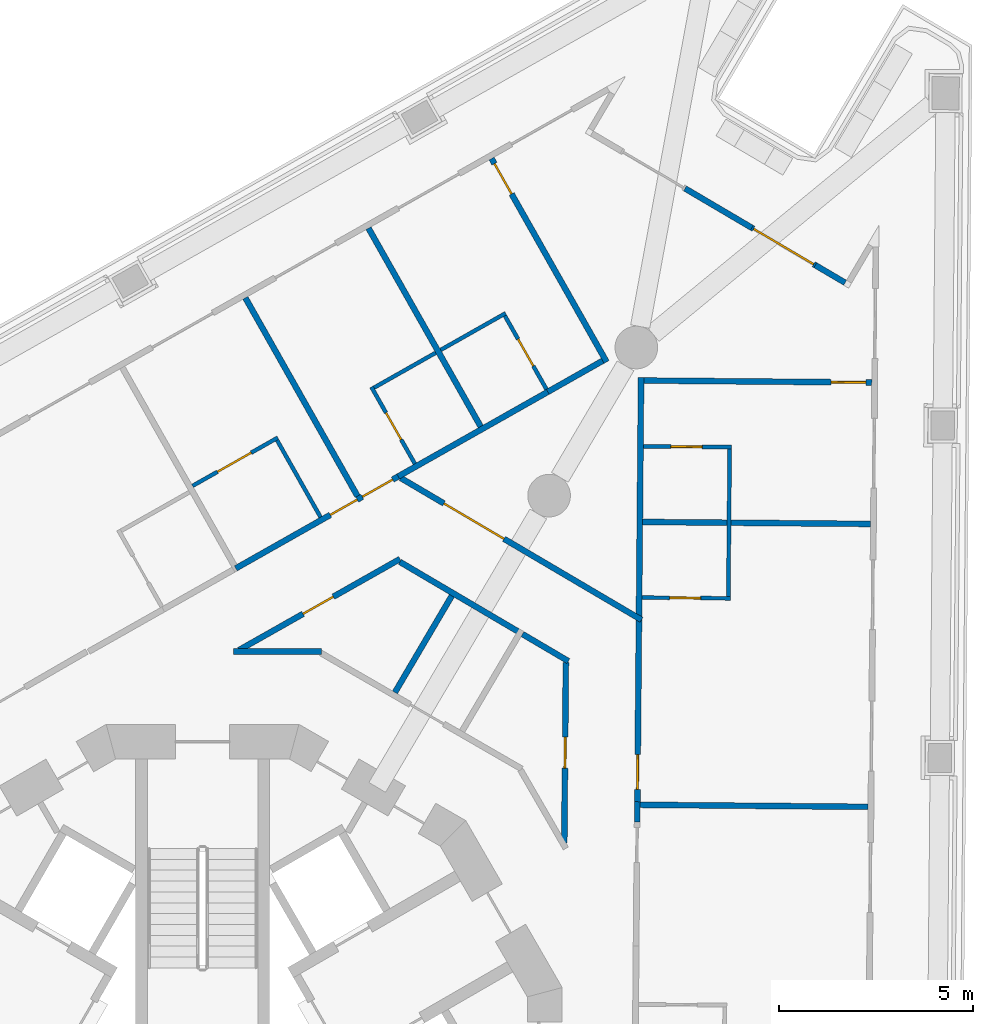
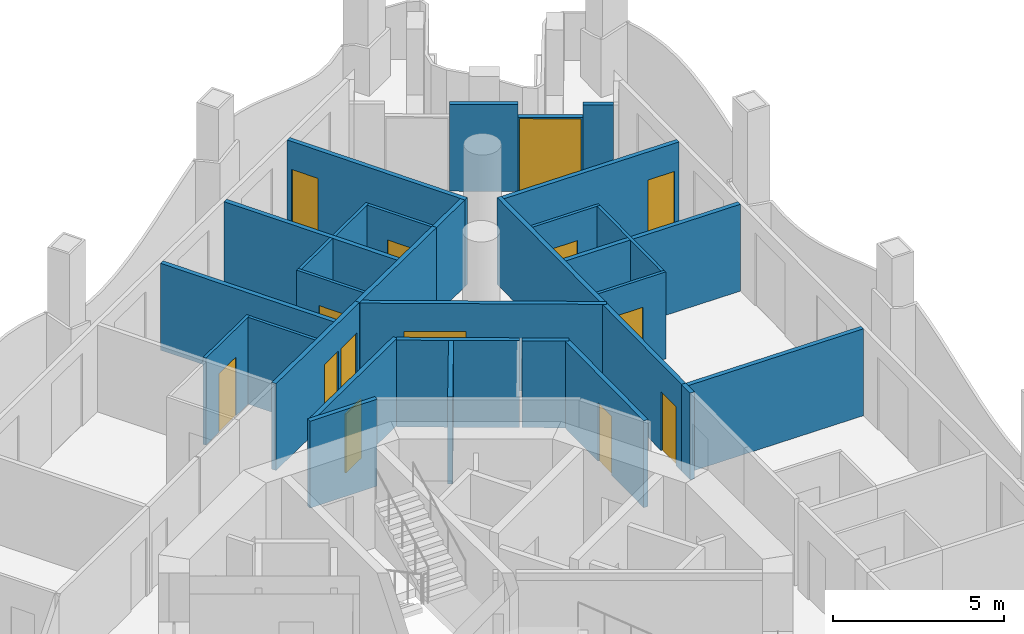
# One storey, part 9 of 17: 30 walls, 14 doors, 14 openings.
"""IFC4 building model written with IfcOpenShell, lengths in metres."""

from ifc_helpers import new_model, si_unit, direction, frame, frame_2d, origin, place, context, subcontext, project, spatial, polyline, rectangle, outline, extrude, material, layer, layer_set, type_object, element, fill, save


model = new_model("IFC4")

# Units and contexts
model_context = context("Model", 3, precision=1e-05, world=origin(), true_north=direction((0.0, 1.0)))
body_context = subcontext(model_context, "Body", "Model", "MODEL_VIEW")
ifc_project = project(units=[si_unit("LENGTHUNIT", "METRE"), si_unit("AREAUNIT", "SQUARE_METRE"), si_unit("VOLUMEUNIT", "CUBIC_METRE"), si_unit("PLANEANGLEUNIT", "RADIAN"), si_unit("MASSUNIT", "GRAM", prefix="KILO")], contexts=[model_context])

# Site, building, storey
site_placement = place(None, origin())
site = spatial("IfcSite", under=ifc_project, at=site_placement, CompositionType="ELEMENT")
building_placement = place(site_placement, origin())
building = spatial("IfcBuilding", under=site, at=building_placement, Name="Trine Commons Tower", CompositionType="ELEMENT")
storey_placement = place(building_placement, frame((0.0, 0.0, 189.89990234375)))
storey = spatial("IfcBuildingStorey", under=building, at=storey_placement, Name="L49", CompositionType="ELEMENT", Elevation=189.89990234375)

# Wall
ifc_material_1 = material(Name="Aluminium-framed insulated wall panel", Category="aluminium")
ifc_layer_1 = layer(ifc_material_1, 0.14990234375)
ifc_layer_set_1 = layer_set([ifc_layer_1], Name="Aluminium-framed insulated wall panel")
wall_type_1 = type_object("IfcWallType", Name="Glazed frame wall 150, EI 60", PredefinedType="SOLIDWALL", material=ifc_layer_set_1)
wall_1_placement = place(storey_placement, frame((92.44091796875, 85.5908203125, 0.0), z_axis=(0.0, 0.0, 1.0), x_axis=(0.861632831324, -0.507532130988, 0.0)))
element("IfcWall", 1, at=wall_1_placement, inside=storey, type_object=wall_type_1, Name="Glazed frame wall P2.3", PredefinedType="SOLIDWALL", context=body_context, shape_type="SweptSolid", body=[
    extrude(outline(polyline([(0.0, -0.074951171875), (2.0, -0.074951171875), (2.0, 0.074951171875), (0.0, 0.074951171875), (0.0, -0.074951171875)])), origin(), (0.0, 0.0, 1.0), 3.10009765625),
])

# Wall, opening, door
wall_2_placement = place(storey_placement, frame((94.164306640625, 84.57568359375, 0.0), z_axis=(0.0, 0.0, 1.0), x_axis=(0.86165989029, -0.507486190418, 0.0)))
wall_2 = element("IfcWall", 2, at=wall_2_placement, inside=storey, type_object=wall_type_1, Name="Glazed frame wall P2.4", PredefinedType="SOLIDWALL", context=body_context, shape_type="SweptSolid", body=[
    extrude(outline(polyline([(0.0, -0.074951171875), (1.89990234375, -0.074951171875), (1.89990234375, 0.074951171875), (0.0, 0.074951171875), (0.0, -0.074951171875)])), origin(), (0.0, 0.0, 1.0), 2.650146484375),
])
opening_1_placement = place(wall_2_placement, frame((0.050048828125, 0.0, 0.0)))
opening_1 = element("IfcOpeningElement", 3, at=opening_1_placement, cuts=wall_2, Name="Opening BD-5P2-02", PredefinedType="OPENING", context=body_context, shape_type="SweptSolid", body=[
    extrude(rectangle(XDim=1.800048828125, YDim=2.60009765625, at=frame_2d((0.89990234375, 1.300048828125))), frame((0.0, 0.0849609375, 0.0), z_axis=(0.0, -1.0, 0.0), x_axis=(1.0, 0.0, 0.0)), (0.0, 0.0, 1.0), 0.169921875),
])
ifc_material_2 = material(Name="Anodised aluminium frame with double glazing", Category="aluminium")
door_type_1 = type_object("IfcDoorType", Name="Sliding loggia door 1800x2600", OperationType="SLIDING_TO_LEFT", PredefinedType="DOOR", material=ifc_material_2)
door_1_placement = place(opening_1_placement, origin())
door_1 = element("IfcDoor", 4, at=door_1_placement, inside=storey, type_object=door_type_1, Name="Loggia door P2 2", OperationType="SLIDING_TO_LEFT", OverallHeight=2.60009765625, OverallWidth=1.800048828125, PredefinedType="DOOR", context=body_context, shape_type="SweptSolid", body=[
    extrude(rectangle(XDim=1.800048828125, YDim=2.60009765625, at=frame_2d((0.89990234375, 1.300048828125))), frame((0.0, 0.02490234375, 0.0), z_axis=(0.0, -1.0, 0.0), x_axis=(1.0, 0.0, 0.0)), (0.0, 0.0, 1.0), 0.050048828125),
])
fill(opening_1, door_1)

# Wall
wall_3_placement = place(storey_placement, frame((95.80126953125, 83.611572265625, 0.0), z_axis=(0.0, 0.0, 1.0), x_axis=(0.861664268073, -0.507478757315, 0.0)))
element("IfcWall", 5, at=wall_3_placement, inside=storey, type_object=wall_type_1, Name="Glazed frame wall P2.5", PredefinedType="SOLIDWALL", context=body_context, shape_type="SweptSolid", body=[
    extrude(outline(polyline([(0.889892578125, 0.074951171875), (0.0, 0.074951171875), (0.0, -0.074951171875), (0.889892578125, -0.074951171875), (0.889892578125, 0.074951171875)])), origin(), (0.0, 0.0, 1.0), 3.10009765625),
])

# Wall, openings, doors
ifc_material_3 = material(Name="Gypsum plasterboard on steel stud", Category="steel")
ifc_layer_2 = layer(ifc_material_3, 0.14990234375)
ifc_layer_set_2 = layer_set([ifc_layer_2], Name="Gypsum plasterboard on steel stud")
wall_type_2 = type_object("IfcWallType", Name="Unit and corridor wall 150 mm, EI 60", PredefinedType="PARTITIONING", material=ifc_layer_set_2)
wall_4_placement = place(storey_placement, frame((80.85595703125, 75.79296875, 0.0), z_axis=(0.0, 0.0, 1.0), x_axis=(0.870296246949, 0.492528621043, 0.0)))
wall_4 = element("IfcWall", 6, at=wall_4_placement, inside=storey, type_object=wall_type_2, Name="Partition 060", PredefinedType="PARTITIONING", context=body_context, shape_type="SweptSolid", body=[
    extrude(rectangle(XDim=4.812255859375, YDim=0.14990234375, at=frame_2d((2.40625, 0.0))), origin(), (0.0, 0.0, 1.0), 3.10009765625),
])
opening_2_placement = place(wall_4_placement, frame((2.800537109375, 0.0, 0.0)))
opening_2 = element("IfcOpeningElement", 7, at=opening_2_placement, cuts=wall_4, Name="Opening D-5C11", PredefinedType="OPENING", context=body_context, shape_type="SweptSolid", body=[
    extrude(rectangle(XDim=0.800048828125, YDim=2.10009765625, at=frame_2d((0.39990234375, 1.050048828125))), frame((0.0, 0.0849609375, 0.0), z_axis=(0.0, -1.0, 0.0), x_axis=(1.0, 0.0, 0.0)), (0.0, 0.0, 1.0), 0.169921875),
])
opening_3_placement = place(wall_4_placement, frame((3.75048828125, 0.0, 0.0)))
opening_3 = element("IfcOpeningElement", 8, at=opening_3_placement, cuts=wall_4, Name="Opening D-5C12", PredefinedType="OPENING", context=body_context, shape_type="SweptSolid", body=[
    extrude(rectangle(XDim=0.89990234375, YDim=2.10009765625, at=frame_2d((0.449951171875, 1.050048828125))), frame((0.0, 0.0849609375, 0.0), z_axis=(0.0, -1.0, 0.0), x_axis=(1.0, 0.0, 0.0)), (0.0, 0.0, 1.0), 0.169921875),
])
ifc_material_4 = material(Name="Timber fire door set", Category="wood")
door_type_2 = type_object("IfcDoorType", Name="Bedroom door 800 x 2100, FD30S", OperationType="NOTDEFINED", PredefinedType="DOOR", material=ifc_material_4)
door_2_placement = place(opening_2_placement, origin())
door_2 = element("IfcDoor", 9, at=door_2_placement, inside=storey, type_object=door_type_2, Name="Door D-5C11", OperationType="SINGLE_SWING_RIGHT", OverallHeight=2.10009765625, OverallWidth=0.800048828125, PredefinedType="DOOR", context=body_context, shape_type="SweptSolid", body=[
    extrude(rectangle(XDim=0.800048828125, YDim=2.10009765625, at=frame_2d((0.39990234375, 1.050048828125))), frame((0.0, 0.02490234375, 0.0), z_axis=(0.0, -1.0, 0.0), x_axis=(1.0, 0.0, 0.0)), (0.0, 0.0, 1.0), 0.050048828125),
])
fill(opening_2, door_2)
door_type_3 = type_object("IfcDoorType", Name="Bedroom door 900 x 2100, FD30S", OperationType="NOTDEFINED", PredefinedType="DOOR", material=ifc_material_4)
door_3_placement = place(opening_3_placement, origin())
door_3 = element("IfcDoor", 10, at=door_3_placement, inside=storey, type_object=door_type_3, Name="Door D-5C12", OperationType="SINGLE_SWING_RIGHT", OverallHeight=2.10009765625, OverallWidth=0.89990234375, PredefinedType="DOOR", context=body_context, shape_type="SweptSolid", body=[
    extrude(rectangle(XDim=0.89990234375, YDim=2.10009765625, at=frame_2d((0.449951171875, 1.050048828125))), frame((0.0, 0.02490234375, 0.0), z_axis=(0.0, -1.0, 0.0), x_axis=(1.0, 0.0, 0.0)), (0.0, 0.0, 1.0), 0.050048828125),
])
fill(opening_3, door_3)

# Wall
wall_5_placement = place(storey_placement, frame((80.79296875, 73.64794921875, 0.0), z_axis=(0.0, 0.0, 1.0), x_axis=(1.0, 0.0, 0.0)))
element("IfcWall", 11, at=wall_5_placement, inside=storey, type_object=wall_type_2, Name="Partition 061", PredefinedType="PARTITIONING", context=body_context, shape_type="SweptSolid", body=[
    extrude(rectangle(XDim=2.26904296875, YDim=0.14990234375, at=frame_2d((1.134521484375, 0.0))), origin(), (0.0, 0.0, 1.0), 3.10009765625),
])

# Wall, opening, door
wall_6_placement = place(storey_placement, frame((80.937255859375, 73.684814453125, 0.0), z_axis=(0.0, 0.0, 1.0), x_axis=(0.870319748897, 0.492487090876, 0.0)))
wall_6 = element("IfcWall", 12, at=wall_6_placement, inside=storey, type_object=wall_type_2, Name="Partition 062", PredefinedType="PARTITIONING", context=body_context, shape_type="SweptSolid", body=[
    extrude(rectangle(XDim=4.77197265625, YDim=0.14990234375, at=frame_2d((2.385986328125, 0.0))), origin(), (0.0, 0.0, 1.0), 3.10009765625),
])
opening_4_placement = place(wall_6_placement, frame((1.8984375, 0.0, 0.0)))
opening_4 = element("IfcOpeningElement", 13, at=opening_4_placement, cuts=wall_6, Name="Opening D-5C30", PredefinedType="OPENING", context=body_context, shape_type="SweptSolid", body=[
    extrude(rectangle(XDim=0.89990234375, YDim=2.10009765625, at=frame_2d((0.449951171875, 1.050048828125))), frame((0.0, 0.0849609375, 0.0), z_axis=(0.0, -1.0, 0.0), x_axis=(1.0, 0.0, 0.0)), (0.0, 0.0, 1.0), 0.169921875),
])
door_type_4 = type_object("IfcDoorType", Name="Service door 900 x 2100, FD30S", OperationType="NOTDEFINED", PredefinedType="DOOR", material=ifc_material_4)
door_4_placement = place(opening_4_placement, frame((0.89990234375, 0.0, 0.0), z_axis=(0.0, 0.0, 1.0), x_axis=(-1.0, 0.0, 0.0)))
door_4 = element("IfcDoor", 14, at=door_4_placement, inside=storey, type_object=door_type_4, Name="Door D-5C30", OperationType="SINGLE_SWING_RIGHT", OverallHeight=2.10009765625, OverallWidth=0.89990234375, PredefinedType="DOOR", context=body_context, shape_type="SweptSolid", body=[
    extrude(rectangle(XDim=0.89990234375, YDim=2.10009765625, at=frame_2d((0.449951171875, 1.050048828125))), frame((0.0, 0.02490234375, 0.0), z_axis=(0.0, -1.0, 0.0), x_axis=(1.0, 0.0, 0.0)), (0.0, 0.0, 1.0), 0.050048828125),
])
fill(opening_4, door_4)

# Walls
wall_7_placement = place(storey_placement, frame((81.103759765625, 82.769287109375, 0.0), z_axis=(0.0, 0.0, 1.0), x_axis=(0.492361245758, -0.870390948756, 0.0)))
element("IfcWall", 15, at=wall_7_placement, inside=storey, type_object=wall_type_2, Name="Partition 063", PredefinedType="PARTITIONING", context=body_context, shape_type="SweptSolid", body=[
    extrude(rectangle(XDim=5.87451171875, YDim=0.14990234375, at=frame_2d((2.937255859375, 0.0))), origin(), (0.0, 0.0, 1.0), 3.10009765625),
])
wall_8_placement = place(storey_placement, frame((84.27880859375, 84.565185546875, 0.0), z_axis=(0.0, 0.0, 1.0), x_axis=(0.4923790567, -0.870380873252, 0.0)))
element("IfcWall", 16, at=wall_8_placement, inside=storey, type_object=wall_type_2, Name="Partition 074", PredefinedType="PARTITIONING", context=body_context, shape_type="SweptSolid", body=[
    extrude(rectangle(XDim=5.874267578125, YDim=0.14990234375, at=frame_2d((2.93701171875, 0.0))), origin(), (0.0, 0.0, 1.0), 3.10009765625),
])
wall_9_placement = place(storey_placement, frame((84.960205078125, 72.595703125, 0.0), z_axis=(0.0, 0.0, 1.0), x_axis=(0.507595999699, 0.861595207212, 0.0)))
element("IfcWall", 17, at=wall_9_placement, inside=storey, type_object=wall_type_2, Name="Partition 080", PredefinedType="PARTITIONING", context=body_context, shape_type="SweptSolid", body=[
    extrude(rectangle(XDim=2.8896484375, YDim=0.14990234375, at=frame_2d((1.44482421875, 0.0))), origin(), (0.0, 0.0, 1.0), 3.10009765625),
])
wall_10_placement = place(storey_placement, frame((85.089599609375, 75.9599609375, 0.0), z_axis=(0.0, 0.0, 1.0), x_axis=(0.861618447689, -0.507556549166, 0.0)))
element("IfcWall", 18, at=wall_10_placement, inside=storey, type_object=wall_type_2, Name="Partition 081", PredefinedType="PARTITIONING", context=body_context, shape_type="SweptSolid", body=[
    extrude(rectangle(XDim=3.599365234375, YDim=0.14990234375, at=frame_2d((1.7998046875, 0.0))), origin(), (0.0, 0.0, 1.0), 3.10009765625),
])
wall_11_placement = place(storey_placement, frame((85.0439453125, 78.1630859375, 0.0), z_axis=(0.0, 0.0, 1.0), x_axis=(0.870383507411, 0.492374400256, 0.0)))
element("IfcWall", 19, at=wall_11_placement, inside=storey, type_object=wall_type_2, Name="Partition 082", PredefinedType="PARTITIONING", context=body_context, shape_type="SweptSolid", body=[
    extrude(rectangle(XDim=4.4892578125, YDim=0.14990234375, at=frame_2d((2.24462890625, 0.0))), origin(), (0.0, 0.0, 1.0), 3.10009765625),
])

# Wall, opening, door
wall_12_placement = place(storey_placement, frame((85.108642578125, 78.125, 0.0), z_axis=(0.0, 0.0, 1.0), x_axis=(0.861578679129, -0.507624053479, 0.0)))
wall_12 = element("IfcWall", 20, at=wall_12_placement, inside=storey, type_object=wall_type_2, Name="Partition 083", PredefinedType="PARTITIONING", context=body_context, shape_type="SweptSolid", body=[
    extrude(rectangle(XDim=7.20654296875, YDim=0.14990234375, at=frame_2d((3.603271484375, 0.0))), origin(), (0.0, 0.0, 1.0), 3.10009765625),
])
opening_5_placement = place(wall_12_placement, frame((1.29296875, 0.0, 0.0)))
opening_5 = element("IfcOpeningElement", 21, at=opening_5_placement, cuts=wall_12, Name="Opening D-5C01", PredefinedType="OPENING", context=body_context, shape_type="SweptSolid", body=[
    extrude(rectangle(XDim=1.800048828125, YDim=2.10009765625, at=frame_2d((0.89990234375, 1.050048828125))), frame((0.0, 0.0849609375, 0.0), z_axis=(0.0, -1.0, 0.0), x_axis=(1.0, 0.0, 0.0)), (0.0, 0.0, 1.0), 0.169921875),
])
door_type_5 = type_object("IfcDoorType", Name="Cluster entrance door 1800 x 2100, double leaf, FD30S", OperationType="DOUBLE_DOOR_DOUBLE_SWING", PredefinedType="DOOR", material=ifc_material_4)
door_5_placement = place(opening_5_placement, origin())
door_5 = element("IfcDoor", 22, at=door_5_placement, inside=storey, type_object=door_type_5, Name="Door D-5C01", OperationType="DOUBLE_DOOR_DOUBLE_SWING", OverallHeight=2.10009765625, OverallWidth=1.800048828125, PredefinedType="DOOR", context=body_context, shape_type="SweptSolid", body=[
    extrude(rectangle(XDim=1.800048828125, YDim=2.10009765625, at=frame_2d((0.89990234375, 1.050048828125))), frame((0.0, 0.02490234375, 0.0), z_axis=(0.0, -1.0, 0.0), x_axis=(1.0, 0.0, 0.0)), (0.0, 0.0, 1.0), 0.050048828125),
])
fill(opening_5, door_5)

wall_13_placement = place(storey_placement, frame((87.45263671875, 86.361083984375, 0.0), z_axis=(0.0, 0.0, 1.0), x_axis=(0.492389730591, -0.870374834889, 0.0)))
wall_13 = element("IfcWall", 23, at=wall_13_placement, inside=storey, type_object=wall_type_2, Name="Partition 091", PredefinedType="PARTITIONING", context=body_context, shape_type="SweptSolid", body=[
    extrude(rectangle(XDim=6.0244140625, YDim=0.14990234375, at=frame_2d((3.01220703125, 0.0))), origin(), (0.0, 0.0, 1.0), 3.10009765625),
])
opening_6_placement = place(wall_13_placement, frame((0.14990234375, 0.0, 0.0)))
opening_6 = element("IfcOpeningElement", 24, at=opening_6_placement, cuts=wall_13, Name="Opening D-5C13", PredefinedType="OPENING", context=body_context, shape_type="SweptSolid", body=[
    extrude(rectangle(XDim=0.89990234375, YDim=2.10009765625, at=frame_2d((0.449951171875, 1.050048828125))), frame((0.0, 0.0849609375, 0.0), z_axis=(0.0, -1.0, 0.0), x_axis=(1.0, 0.0, 0.0)), (0.0, 0.0, 1.0), 0.169921875),
])
door_6_placement = place(opening_6_placement, frame((0.89990234375, 0.0, 0.0), z_axis=(0.0, 0.0, 1.0), x_axis=(-1.0, 0.0, 0.0)))
door_6 = element("IfcDoor", 25, at=door_6_placement, inside=storey, type_object=door_type_3, Name="Door D-5C13", OperationType="SINGLE_SWING_RIGHT", OverallHeight=2.10009765625, OverallWidth=0.89990234375, PredefinedType="DOOR", context=body_context, shape_type="SweptSolid", body=[
    extrude(rectangle(XDim=0.89990234375, YDim=2.10009765625, at=frame_2d((0.449951171875, 1.050048828125))), frame((0.0, 0.02490234375, 0.0), z_axis=(0.0, -1.0, 0.0), x_axis=(1.0, 0.0, 0.0)), (0.0, 0.0, 1.0), 0.050048828125),
])
fill(opening_6, door_6)

# Walls
wall_14_placement = place(storey_placement, frame((88.24951171875, 74.098876953125, 0.0), z_axis=(0.0, 0.0, 1.0), x_axis=(0.861463535888, -0.507819432805, 0.0)))
element("IfcWall", 26, at=wall_14_placement, inside=storey, type_object=wall_type_2, Name="Partition 096", PredefinedType="PARTITIONING", context=body_context, shape_type="SweptSolid", body=[
    extrude(rectangle(XDim=1.37451171875, YDim=0.14990234375, at=frame_2d((0.687255859375, 0.0))), origin(), (0.0, 0.0, 1.0), 3.10009765625),
])
wall_15_placement = place(storey_placement, frame((88.902099609375, 80.344970703125, 0.0), z_axis=(0.0, 0.0, 1.0), x_axis=(0.870168163768, 0.492754874927, 0.0)))
element("IfcWall", 27, at=wall_15_placement, inside=storey, type_object=wall_type_2, Name="Partition 098", PredefinedType="PARTITIONING", context=body_context, shape_type="SweptSolid", body=[
    extrude(rectangle(XDim=1.62548828125, YDim=0.14990234375, at=frame_2d((0.812744140625, 0.0))), origin(), (0.0, 0.0, 1.0), 3.10009765625),
])

# Wall, opening, door
wall_16_placement = place(storey_placement, frame((89.32763671875, 68.716064453125, 0.0), z_axis=(0.0, 0.0, 1.0), x_axis=(0.008771592358, 0.999961528844, 0.0)))
wall_16 = element("IfcWall", 28, at=wall_16_placement, inside=storey, type_object=wall_type_2, Name="Partition 102", PredefinedType="PARTITIONING", context=body_context, shape_type="SweptSolid", body=[
    extrude(rectangle(XDim=4.648193359375, YDim=0.14990234375, at=frame_2d((2.32421875, 0.0))), origin(), (0.0, 0.0, 1.0), 3.10009765625),
])
opening_7_placement = place(wall_16_placement, frame((1.924072265625, 0.0, 0.0)))
opening_7 = element("IfcOpeningElement", 29, at=opening_7_placement, cuts=wall_16, Name="Opening D-5C31", PredefinedType="OPENING", context=body_context, shape_type="SweptSolid", body=[
    extrude(rectangle(XDim=0.800048828125, YDim=2.10009765625, at=frame_2d((0.39990234375, 1.050048828125))), frame((0.0, 0.0849609375, 0.0), z_axis=(0.0, -1.0, 0.0), x_axis=(1.0, 0.0, 0.0)), (0.0, 0.0, 1.0), 0.169921875),
])
ifc_material_5 = material(Name="Painted timber", Category="wood")
door_type_6 = type_object("IfcDoorType", Name="Toilet door 800 x 2100, NOT RATED", OperationType="NOTDEFINED", PredefinedType="DOOR", material=ifc_material_5)
door_7_placement = place(opening_7_placement, origin())
door_7 = element("IfcDoor", 30, at=door_7_placement, inside=storey, type_object=door_type_6, Name="Door D-5C31", OperationType="SINGLE_SWING_RIGHT", OverallHeight=2.10009765625, OverallWidth=0.800048828125, PredefinedType="DOOR", context=body_context, shape_type="SweptSolid", body=[
    extrude(rectangle(XDim=0.800048828125, YDim=2.10009765625, at=frame_2d((0.39990234375, 1.050048828125))), frame((0.0, 0.02490234375, 0.0), z_axis=(0.0, -1.0, 0.0), x_axis=(1.0, 0.0, 0.0)), (0.0, 0.0, 1.0), 0.050048828125),
])
fill(opening_7, door_7)

# Wall
wall_17_placement = place(storey_placement, frame((91.20703125, 69.259033203125, 0.0), z_axis=(0.0, 0.0, 1.0), x_axis=(0.008974603128, 0.999959727438, 0.0)))
element("IfcWall", 31, at=wall_17_placement, inside=storey, type_object=wall_type_2, Name="Partition 120", PredefinedType="PARTITIONING", context=body_context, shape_type="SweptSolid", body=[
    extrude(rectangle(XDim=0.516845703125, YDim=0.14990234375, at=frame_2d((0.25830078125, 0.0))), origin(), (0.0, 0.0, 1.0), 3.10009765625),
])

# Wall, opening, door
wall_18_placement = place(storey_placement, frame((91.2109375, 69.693115234375, 0.0), z_axis=(0.0, 0.0, 1.0), x_axis=(0.008772952582, 0.999961516911, 0.0)))
wall_18 = element("IfcWall", 32, at=wall_18_placement, inside=storey, type_object=wall_type_2, Name="Partition 121", PredefinedType="PARTITIONING", context=body_context, shape_type="SweptSolid", body=[
    extrude(rectangle(XDim=11.020263671875, YDim=0.14990234375, at=frame_2d((5.51025390625, 0.0))), origin(), (0.0, 0.0, 1.0), 3.10009765625),
])
opening_8_placement = place(wall_18_placement, frame((0.398681640625, 0.0, 0.0)))
opening_8 = element("IfcOpeningElement", 33, at=opening_8_placement, cuts=wall_18, Name="Opening D-5C15", PredefinedType="OPENING", context=body_context, shape_type="SweptSolid", body=[
    extrude(rectangle(XDim=0.89990234375, YDim=2.10009765625, at=frame_2d((0.449951171875, 1.050048828125))), frame((0.0, 0.0849609375, 0.0), z_axis=(0.0, -1.0, 0.0), x_axis=(1.0, 0.0, 0.0)), (0.0, 0.0, 1.0), 0.169921875),
])
door_8_placement = place(opening_8_placement, frame((0.89990234375, 0.0, 0.0), z_axis=(0.0, 0.0, 1.0), x_axis=(-1.0, 0.0, 0.0)))
door_8 = element("IfcDoor", 34, at=door_8_placement, inside=storey, type_object=door_type_3, Name="Door D-5C15", OperationType="SINGLE_SWING_RIGHT", OverallHeight=2.10009765625, OverallWidth=0.89990234375, PredefinedType="DOOR", context=body_context, shape_type="SweptSolid", body=[
    extrude(rectangle(XDim=0.89990234375, YDim=2.10009765625, at=frame_2d((0.449951171875, 1.050048828125))), frame((0.0, 0.02490234375, 0.0), z_axis=(0.0, -1.0, 0.0), x_axis=(1.0, 0.0, 0.0)), (0.0, 0.0, 1.0), 0.050048828125),
])
fill(opening_8, door_8)

# Walls
wall_19_placement = place(storey_placement, frame((91.285888671875, 69.6962890625, 0.0), z_axis=(0.0, 0.0, 1.0), x_axis=(0.999960828694, -0.008851049556, 0.0)))
element("IfcWall", 35, at=wall_19_placement, inside=storey, type_object=wall_type_2, Name="Partition 122", PredefinedType="PARTITIONING", context=body_context, shape_type="SweptSolid", body=[
    extrude(rectangle(XDim=5.875244140625, YDim=0.14990234375, at=frame_2d((2.9375, 0.0))), origin(), (0.0, 0.0, 1.0), 3.10009765625),
])
wall_20_placement = place(storey_placement, frame((91.35009765625, 76.990234375, 0.0), z_axis=(0.0, 0.0, 1.0), x_axis=(0.999962273479, -0.008686289076, 0.0)))
element("IfcWall", 36, at=wall_20_placement, inside=storey, type_object=wall_type_2, Name="Partition 125", PredefinedType="PARTITIONING", context=body_context, shape_type="SweptSolid", body=[
    extrude(rectangle(XDim=5.874267578125, YDim=0.14990234375, at=frame_2d((2.93701171875, 0.0))), origin(), (0.0, 0.0, 1.0), 3.10009765625),
])

# Wall, opening, door
wall_21_placement = place(storey_placement, frame((91.382080078125, 80.63720703125, 0.0), z_axis=(0.0, 0.0, 1.0), x_axis=(0.999962273479, -0.008686289076, 0.0)))
wall_21 = element("IfcWall", 37, at=wall_21_placement, inside=storey, type_object=wall_type_2, Name="Partition 127", PredefinedType="PARTITIONING", context=body_context, shape_type="SweptSolid", body=[
    extrude(rectangle(XDim=5.874267578125, YDim=0.14990234375, at=frame_2d((2.93701171875, 0.0))), origin(), (0.0, 0.0, 1.0), 3.10009765625),
])
opening_9_placement = place(wall_21_placement, frame((4.82421875, 0.0, 0.0)))
opening_9 = element("IfcOpeningElement", 38, at=opening_9_placement, cuts=wall_21, Name="Opening D-5C14", PredefinedType="OPENING", context=body_context, shape_type="SweptSolid", body=[
    extrude(rectangle(XDim=0.89990234375, YDim=2.10009765625, at=frame_2d((0.449951171875, 1.050048828125))), frame((0.0, 0.0849609375, 0.0), z_axis=(0.0, -1.0, 0.0), x_axis=(1.0, 0.0, 0.0)), (0.0, 0.0, 1.0), 0.169921875),
])
door_9_placement = place(opening_9_placement, frame((0.89990234375, 0.0, 0.0), z_axis=(0.0, 0.0, 1.0), x_axis=(-1.0, 0.0, 0.0)))
door_9 = element("IfcDoor", 39, at=door_9_placement, inside=storey, type_object=door_type_3, Name="Door D-5C14", OperationType="SINGLE_SWING_LEFT", OverallHeight=2.10009765625, OverallWidth=0.89990234375, PredefinedType="DOOR", context=body_context, shape_type="SweptSolid", body=[
    extrude(rectangle(XDim=0.89990234375, YDim=2.10009765625, at=frame_2d((0.449951171875, 1.050048828125))), frame((0.0, 0.02490234375, 0.0), z_axis=(0.0, -1.0, 0.0), x_axis=(1.0, 0.0, 0.0)), (0.0, 0.0, 1.0), 0.050048828125),
])
fill(opening_9, door_9)

ifc_layer_3 = layer(ifc_material_3, 0.10009765625)
ifc_layer_set_3 = layer_set([ifc_layer_3], Name="Gypsum plasterboard on steel stud")
wall_type_3 = type_object("IfcWallType", Name="Unit partition 100 mm, no rating", PredefinedType="PARTITIONING", material=ifc_layer_set_3)
wall_22_placement = place(storey_placement, frame((79.7421875, 77.9208984375, 0.0), z_axis=(0.0, 0.0, 1.0), x_axis=(0.870364731179, 0.49240759003, 0.0)))
wall_22 = element("IfcWall", 40, at=wall_22_placement, inside=storey, type_object=wall_type_3, Name="Partition 055", PredefinedType="PARTITIONING", context=body_context, shape_type="SweptSolid", body=[
    extrude(rectangle(XDim=2.525634765625, YDim=0.10009765625, at=frame_2d((1.2626953125, 0.0))), origin(), (0.0, 0.0, 1.0), 3.10009765625),
])
opening_10_placement = place(wall_22_placement, frame((0.73779296875, 0.0, 0.0)))
opening_10 = element("IfcOpeningElement", 41, at=opening_10_placement, cuts=wall_22, Name="Opening D-5C37", PredefinedType="OPENING", context=body_context, shape_type="SweptSolid", body=[
    extrude(rectangle(XDim=1.0, YDim=2.10009765625, at=frame_2d((0.5, 1.050048828125))), frame((0.0, 0.06005859375, 0.0), z_axis=(0.0, -1.0, 0.0), x_axis=(1.0, 0.0, 0.0)), (0.0, 0.0, 1.0), 0.1201171875),
])
door_type_7 = type_object("IfcDoorType", Name="Internal door 1000 x 2100, NOT RATED", OperationType="NOTDEFINED", PredefinedType="DOOR", material=ifc_material_5)
door_10_placement = place(opening_10_placement, origin())
door_10 = element("IfcDoor", 42, at=door_10_placement, inside=storey, type_object=door_type_7, Name="Door D-5C37", OperationType="SINGLE_SWING_LEFT", OverallHeight=2.10009765625, OverallWidth=1.0, PredefinedType="DOOR", context=body_context, shape_type="SweptSolid", body=[
    extrude(rectangle(XDim=1.0, YDim=2.10009765625, at=frame_2d((0.5, 1.050048828125))), frame((0.0, 0.02490234375, 0.0), z_axis=(0.0, -1.0, 0.0), x_axis=(1.0, 0.0, 0.0)), (0.0, 0.0, 1.0), 0.050048828125),
])
fill(opening_10, door_10)

# Wall
wall_23_placement = place(storey_placement, frame((81.921630859375, 79.096435546875, 0.0), z_axis=(0.0, 0.0, 1.0), x_axis=(0.492424941649, -0.870354914298, 0.0)))
element("IfcWall", 43, at=wall_23_placement, inside=storey, type_object=wall_type_3, Name="Partition 065", PredefinedType="PARTITIONING", context=body_context, shape_type="SweptSolid", body=[
    extrude(rectangle(XDim=2.275146484375, YDim=0.10009765625, at=frame_2d((1.1376953125, 0.0))), origin(), (0.0, 0.0, 1.0), 3.10009765625),
])

# Wall, opening, door
wall_24_placement = place(storey_placement, frame((84.353515625, 80.471435546875, 0.0), z_axis=(0.0, 0.0, 1.0), x_axis=(0.492690247552, -0.870204757495, 0.0)))
wall_24 = element("IfcWall", 44, at=wall_24_placement, inside=storey, type_object=wall_type_3, Name="Partition 075", PredefinedType="PARTITIONING", context=body_context, shape_type="SweptSolid", body=[
    extrude(rectangle(XDim=2.2744140625, YDim=0.10009765625, at=frame_2d((1.13720703125, 0.0))), origin(), (0.0, 0.0, 1.0), 3.10009765625),
])
opening_11_placement = place(wall_24_placement, frame((0.76220703125, 0.0, 0.0)))
opening_11 = element("IfcOpeningElement", 45, at=opening_11_placement, cuts=wall_24, Name="Opening D-5C38", PredefinedType="OPENING", context=body_context, shape_type="SweptSolid", body=[
    extrude(rectangle(XDim=0.800048828125, YDim=2.10009765625, at=frame_2d((0.39990234375, 1.050048828125))), frame((0.0, 0.06005859375, 0.0), z_axis=(0.0, -1.0, 0.0), x_axis=(1.0, 0.0, 0.0)), (0.0, 0.0, 1.0), 0.1201171875),
])
door_type_8 = type_object("IfcDoorType", Name="Internal door 800 x 2100, NOT RATED", OperationType="NOTDEFINED", PredefinedType="DOOR", material=ifc_material_5)
door_11_placement = place(opening_11_placement, frame((0.800048828125, 0.0, 0.0), z_axis=(0.0, 0.0, 1.0), x_axis=(-1.0, 0.0, 0.0)))
door_11 = element("IfcDoor", 46, at=door_11_placement, inside=storey, type_object=door_type_8, Name="Door D-5C38", OperationType="SINGLE_SWING_LEFT", OverallHeight=2.10009765625, OverallWidth=0.800048828125, PredefinedType="DOOR", context=body_context, shape_type="SweptSolid", body=[
    extrude(rectangle(XDim=0.800048828125, YDim=2.10009765625, at=frame_2d((0.39990234375, 1.050048828125))), frame((0.0, 0.02490234375, 0.0), z_axis=(0.0, -1.0, 0.0), x_axis=(1.0, 0.0, 0.0)), (0.0, 0.0, 1.0), 0.050048828125),
])
fill(opening_11, door_11)

# Walls
wall_25_placement = place(storey_placement, frame((84.42138671875, 80.45263671875, 0.0), z_axis=(0.0, 0.0, 1.0), x_axis=(0.870178952447, 0.492735822443, 0.0)))
element("IfcWall", 47, at=wall_25_placement, inside=storey, type_object=wall_type_3, Name="Partition 076", PredefinedType="PARTITIONING", context=body_context, shape_type="SweptSolid", body=[
    extrude(rectangle(XDim=1.825439453125, YDim=0.10009765625, at=frame_2d((0.91259765625, 0.0))), origin(), (0.0, 0.0, 1.0), 3.10009765625),
])
wall_26_placement = place(storey_placement, frame((86.140380859375, 81.42578125, 0.0), z_axis=(0.0, 0.0, 1.0), x_axis=(0.870343029739, 0.492445946866, 0.0)))
element("IfcWall", 48, at=wall_26_placement, inside=storey, type_object=wall_type_3, Name="Partition 087", PredefinedType="PARTITIONING", context=body_context, shape_type="SweptSolid", body=[
    extrude(rectangle(XDim=1.924560546875, YDim=0.10009765625, at=frame_2d((0.96240234375, 0.0))), origin(), (0.0, 0.0, 1.0), 3.10009765625),
])

# Wall, opening, door
wall_27_placement = place(storey_placement, frame((87.796630859375, 82.305419921875, 0.0), z_axis=(0.0, 0.0, 1.0), x_axis=(0.492593408535, -0.870259578441, 0.0)))
wall_27 = element("IfcWall", 49, at=wall_27_placement, inside=storey, type_object=wall_type_3, Name="Partition 092", PredefinedType="PARTITIONING", context=body_context, shape_type="SweptSolid", body=[
    extrude(rectangle(XDim=2.17529296875, YDim=0.10009765625, at=frame_2d((1.087646484375, 0.0))), origin(), (0.0, 0.0, 1.0), 3.10009765625),
])
opening_12_placement = place(wall_27_placement, frame((0.6875, 0.0, 0.0)))
opening_12 = element("IfcOpeningElement", 50, at=opening_12_placement, cuts=wall_27, Name="Opening D-5C39", PredefinedType="OPENING", context=body_context, shape_type="SweptSolid", body=[
    extrude(rectangle(XDim=0.800048828125, YDim=2.10009765625, at=frame_2d((0.39990234375, 1.050048828125))), frame((0.0, 0.06005859375, 0.0), z_axis=(0.0, -1.0, 0.0), x_axis=(1.0, 0.0, 0.0)), (0.0, 0.0, 1.0), 0.1201171875),
])
door_12_placement = place(opening_12_placement, origin())
door_12 = element("IfcDoor", 51, at=door_12_placement, inside=storey, type_object=door_type_8, Name="Door D-5C39", OperationType="SINGLE_SWING_LEFT", OverallHeight=2.10009765625, OverallWidth=0.800048828125, PredefinedType="DOOR", context=body_context, shape_type="SweptSolid", body=[
    extrude(rectangle(XDim=0.800048828125, YDim=2.10009765625, at=frame_2d((0.39990234375, 1.050048828125))), frame((0.0, 0.02490234375, 0.0), z_axis=(0.0, -1.0, 0.0), x_axis=(1.0, 0.0, 0.0)), (0.0, 0.0, 1.0), 0.050048828125),
])
fill(opening_12, door_12)

wall_28_placement = place(storey_placement, frame((91.3330078125, 75.040283203125, 0.0), z_axis=(0.0, 0.0, 1.0), x_axis=(0.999962219299, -0.008692524121, 0.0)))
wall_28 = element("IfcWall", 52, at=wall_28_placement, inside=storey, type_object=wall_type_3, Name="Partition 124", PredefinedType="PARTITIONING", context=body_context, shape_type="SweptSolid", body=[
    extrude(rectangle(XDim=2.27490234375, YDim=0.10009765625, at=frame_2d((1.137451171875, 0.0))), origin(), (0.0, 0.0, 1.0), 3.10009765625),
])
opening_13_placement = place(wall_28_placement, frame((0.71240234375, 0.0, 0.0)))
opening_13 = element("IfcOpeningElement", 53, at=opening_13_placement, cuts=wall_28, Name="Opening D-5C41", PredefinedType="OPENING", context=body_context, shape_type="SweptSolid", body=[
    extrude(rectangle(XDim=0.800048828125, YDim=2.10009765625, at=frame_2d((0.39990234375, 1.050048828125))), frame((0.0, 0.06005859375, 0.0), z_axis=(0.0, -1.0, 0.0), x_axis=(1.0, 0.0, 0.0)), (0.0, 0.0, 1.0), 0.1201171875),
])
door_13_placement = place(opening_13_placement, frame((0.800048828125, 0.0, 0.0), z_axis=(0.0, 0.0, 1.0), x_axis=(-1.0, 0.0, 0.0)))
door_13 = element("IfcDoor", 54, at=door_13_placement, inside=storey, type_object=door_type_8, Name="Door D-5C41", OperationType="SINGLE_SWING_RIGHT", OverallHeight=2.10009765625, OverallWidth=0.800048828125, PredefinedType="DOOR", context=body_context, shape_type="SweptSolid", body=[
    extrude(rectangle(XDim=0.800048828125, YDim=2.10009765625, at=frame_2d((0.39990234375, 1.050048828125))), frame((0.0, 0.02490234375, 0.0), z_axis=(0.0, -1.0, 0.0), x_axis=(1.0, 0.0, 0.0)), (0.0, 0.0, 1.0), 0.050048828125),
])
fill(opening_13, door_13)

wall_29_placement = place(storey_placement, frame((91.366943359375, 78.940185546875, 0.0), z_axis=(0.0, 0.0, 1.0), x_axis=(0.999963154254, -0.008584295776, 0.0)))
wall_29 = element("IfcWall", 55, at=wall_29_placement, inside=storey, type_object=wall_type_3, Name="Partition 126", PredefinedType="PARTITIONING", context=body_context, shape_type="SweptSolid", body=[
    extrude(rectangle(XDim=2.275146484375, YDim=0.10009765625, at=frame_2d((1.1376953125, 0.0))), origin(), (0.0, 0.0, 1.0), 3.10009765625),
])
opening_14_placement = place(wall_29_placement, frame((0.71240234375, 0.0, 0.0)))
opening_14 = element("IfcOpeningElement", 56, at=opening_14_placement, cuts=wall_29, Name="Opening D-5C40", PredefinedType="OPENING", context=body_context, shape_type="SweptSolid", body=[
    extrude(rectangle(XDim=0.800048828125, YDim=2.10009765625, at=frame_2d((0.39990234375, 1.050048828125))), frame((0.0, 0.06005859375, 0.0), z_axis=(0.0, -1.0, 0.0), x_axis=(1.0, 0.0, 0.0)), (0.0, 0.0, 1.0), 0.1201171875),
])
door_14_placement = place(opening_14_placement, origin())
door_14 = element("IfcDoor", 57, at=door_14_placement, inside=storey, type_object=door_type_8, Name="Door D-5C40", OperationType="SINGLE_SWING_LEFT", OverallHeight=2.10009765625, OverallWidth=0.800048828125, PredefinedType="DOOR", context=body_context, shape_type="SweptSolid", body=[
    extrude(rectangle(XDim=0.800048828125, YDim=2.10009765625, at=frame_2d((0.39990234375, 1.050048828125))), frame((0.0, 0.02490234375, 0.0), z_axis=(0.0, -1.0, 0.0), x_axis=(1.0, 0.0, 0.0)), (0.0, 0.0, 1.0), 0.050048828125),
])
fill(opening_14, door_14)

# Wall
wall_30_placement = place(storey_placement, frame((93.558349609375, 75.071044921875, 0.0), z_axis=(0.0, 0.0, 1.0), x_axis=(0.008737218686, 0.999961829776, 0.0)))
element("IfcWall", 58, at=wall_30_placement, inside=storey, type_object=wall_type_3, Name="Partition 134", PredefinedType="PARTITIONING", context=body_context, shape_type="SweptSolid", body=[
    extrude(rectangle(XDim=3.80029296875, YDim=0.10009765625, at=frame_2d((1.900146484375, 0.0))), origin(), (0.0, 0.0, 1.0), 3.10009765625),
])

save(model, "model.ifc")
